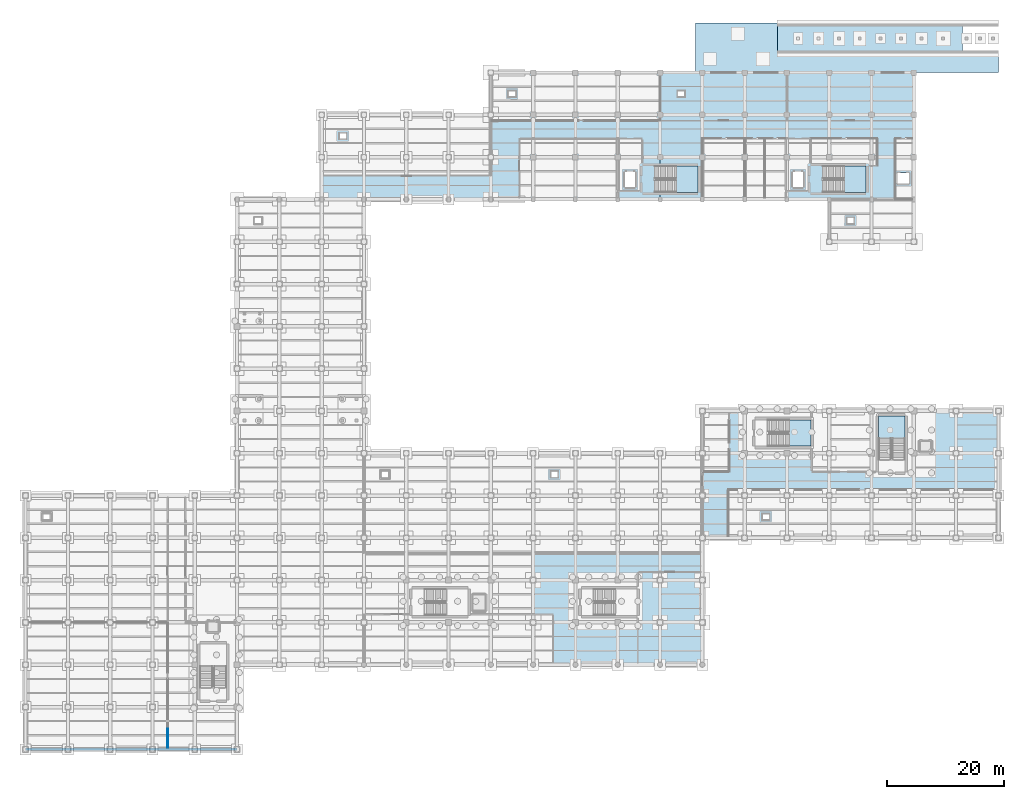
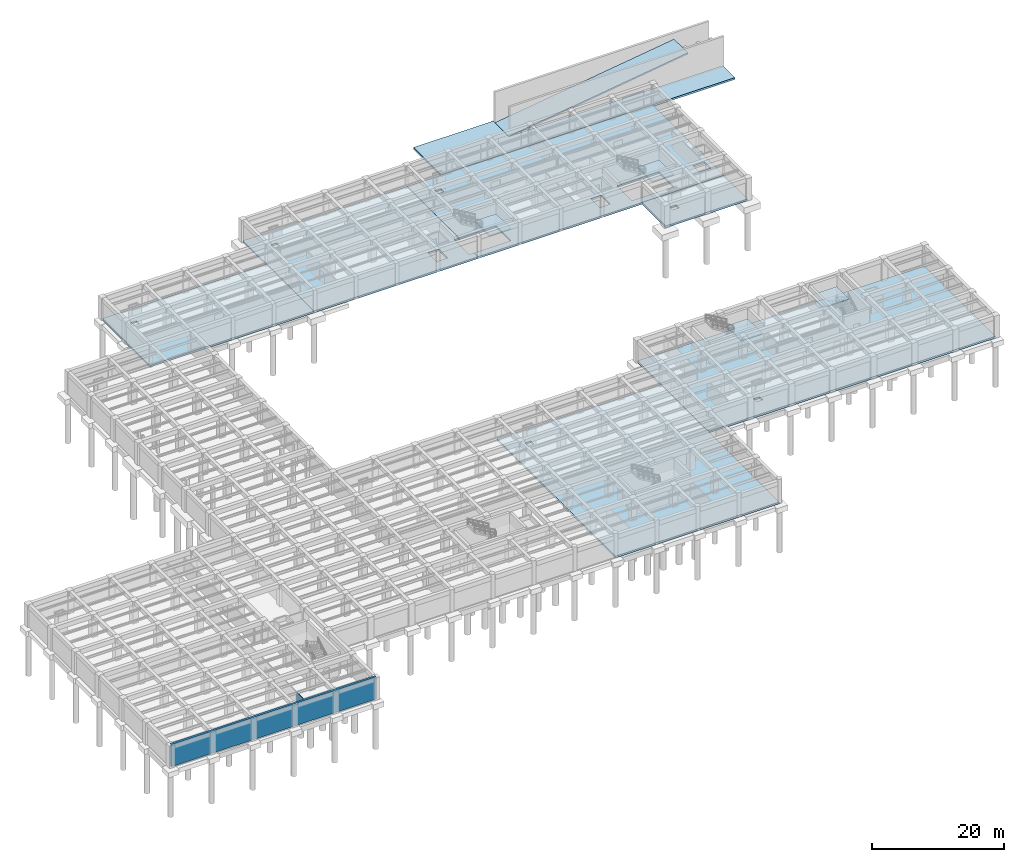
# One storey, part 15 of 34: 12 slabs, 2 walls, 4 elements without a shape of their own.
"""IFC4 building model written with IfcOpenShell, lengths in metres."""

import ifcopenshell
import ifcopenshell.guid

model = None  # the IFC model being written
_history = None  # IfcOwnerHistory: only IFC2X3 demands one
_inside = {}  # id of a spatial element -> (the spatial element, [elements in it])
_under = {}  # id of a project, library or spatial element -> (it, [spatial elements below it])
_declared = {}  # id of a project -> (the project, [libraries it declares])
_typed = {}  # id of a type object -> (the type object, [elements of that type])
_made_of = {}  # id of a material, layer set ... -> (it, [elements and type objects made of it])


def new_model(schema):
    """Start an empty IFC model of exactly this schema.

    Asked for "IFC4X3", IfcOpenShell would pick the latest addendum, in which some entities
    have other attributes; the version numbers below select the first issue.
    IFC2X3 requires an IfcOwnerHistory on every rooted entity: one is made here for all.
    """
    global model, _history
    if schema == "IFC4X3":
        model = ifcopenshell.file(schema_version=(4, 3, 0, 0))
    else:
        model = ifcopenshell.file(schema=schema)
    _inside.clear()
    _under.clear()
    _declared.clear()
    _typed.clear()
    _made_of.clear()
    _history = None
    if model.schema == "IFC2X3":
        org = make("IfcOrganization", Name="unknown")
        user = make(
            "IfcPersonAndOrganization",
            ThePerson=make("IfcPerson", FamilyName="unknown"),
            TheOrganization=org,
        )
        app = make(
            "IfcApplication",
            ApplicationDeveloper=org,
            Version="unknown",
            ApplicationFullName="unknown",
            ApplicationIdentifier="unknown",
        )
        _history = make(
            "IfcOwnerHistory",
            OwningUser=user,
            OwningApplication=app,
            ChangeAction="ADDED",
            CreationDate=0,
        )
    return model


def make(cls, **values):
    """One entity of the class cls with the attributes given. An attribute that is None is left unset."""
    return model.create_entity(
        cls, **{name: value for name, value in values.items() if value is not None}
    )


def rooted(cls, **values):
    """An entity with a GlobalId (a new one), such as an element, a storey or a relation."""
    return make(cls, GlobalId=ifcopenshell.guid.new(), OwnerHistory=_history, **values)


def si_unit(unit_type, name, prefix=None):
    """IfcSIUnit, for example si_unit("LENGTHUNIT", "METRE", prefix="MILLI")."""
    return make("IfcSIUnit", UnitType=unit_type, Prefix=prefix, Name=name)


def assignment(units):
    """IfcUnitAssignment: the units of a project."""
    return None if units is None else make("IfcUnitAssignment", Units=units)


def point(xyz):
    """IfcCartesianPoint."""
    return None if xyz is None else make("IfcCartesianPoint", Coordinates=xyz)


def direction(xyz):
    """IfcDirection."""
    return None if xyz is None else make("IfcDirection", DirectionRatios=xyz)


def frame(location, z_axis=None, x_axis=None):
    """IfcAxis2Placement3D, a coordinate frame: its origin and axes. An axis left out is left unset."""
    return make(
        "IfcAxis2Placement3D",
        Location=point(location),
        Axis=direction(z_axis),
        RefDirection=direction(x_axis),
    )


def frame_2d(location, x_axis=None):
    """IfcAxis2Placement2D, a coordinate frame in the plane: its origin and x axis."""
    return make(
        "IfcAxis2Placement2D", Location=point(location), RefDirection=direction(x_axis)
    )


def origin():
    """The frame at (0, 0, 0) with its axes left unset."""
    return frame((0.0, 0.0, 0.0))


def place(relative_to, where):
    """IfcLocalPlacement: puts the frame where relative to a parent placement (None: the world)."""
    return make(
        "IfcLocalPlacement", PlacementRelTo=relative_to, RelativePlacement=where
    )


def context(
    kind, dimensions, precision=None, world=None, true_north=None, identifier=None
):
    """IfcGeometricRepresentationContext, for example the 3D "Model" context."""
    return make(
        "IfcGeometricRepresentationContext",
        ContextIdentifier=identifier,
        ContextType=kind,
        CoordinateSpaceDimension=dimensions,
        Precision=precision,
        WorldCoordinateSystem=world,
        TrueNorth=true_north,
    )


def subcontext(parent, identifier, kind, view, scale=None):
    """IfcGeometricRepresentationSubContext, for example "Body" below "Model"."""
    return make(
        "IfcGeometricRepresentationSubContext",
        ContextIdentifier=identifier,
        ContextType=kind,
        ParentContext=parent,
        TargetScale=scale,
        TargetView=view,
    )


def project(units=None, contexts=None):
    """IfcProject with its units and contexts."""
    return rooted(
        "IfcProject",
        Name="project",
        RepresentationContexts=contexts,
        UnitsInContext=assignment(units),
    )


def spatial(cls, under=None, at=None, **own):
    """A site, building, storey or space (cls), placed at a placement, below another one or the project."""
    s = rooted(cls, ObjectPlacement=at, **own)
    if under is not None:
        _under.setdefault(under.id(), (under, []))[1].append(s)
    return s


def polyline(points):
    """IfcPolyline through the points."""
    return make("IfcPolyline", Points=[point(p) for p in points])


def profile(cls, at=None, kind="AREA", **sizes):
    """A parametric profile (cls). Its sizes go by their IFC names, for example OverallWidth=200.0."""
    return make(cls, ProfileType=kind, Position=at, **sizes)


def rectangle(**sizes):
    """IfcRectangleProfileDef."""
    return profile("IfcRectangleProfileDef", **sizes)


def outline(outer, holes=None, kind="AREA"):
    """IfcArbitraryClosedProfileDef: a profile drawn as a closed curve; with holes, ...WithVoids."""
    if holes is None:
        return make("IfcArbitraryClosedProfileDef", ProfileType=kind, OuterCurve=outer)
    return make(
        "IfcArbitraryProfileDefWithVoids",
        ProfileType=kind,
        OuterCurve=outer,
        InnerCurves=holes,
    )


def extrude(swept, where, along, depth):
    """IfcExtrudedAreaSolid: the profile swept, set in the frame where, extruded along a direction by depth."""
    return make(
        "IfcExtrudedAreaSolid",
        SweptArea=swept,
        Position=where,
        ExtrudedDirection=direction(along),
        Depth=depth,
    )


def shape(context_of_items, identifier, shape_type, items):
    """IfcShapeRepresentation: the items that make up one representation, for example the "Body"."""
    return make(
        "IfcShapeRepresentation",
        ContextOfItems=context_of_items,
        RepresentationIdentifier=identifier,
        RepresentationType=shape_type,
        Items=items,
    )


def material(Name=None, Category=None):
    """IfcMaterial."""
    return make("IfcMaterial", Name=Name, Category=Category)


def layer(
    of_material, thickness, ventilated=None, Name=None, Category=None, Priority=None
):
    """IfcMaterialLayer: one layer of a wall or slab, of a material (None: an air gap)."""
    return make(
        "IfcMaterialLayer",
        Material=of_material,
        LayerThickness=thickness,
        IsVentilated=ventilated,
        Name=Name,
        Category=Category,
        Priority=Priority,
    )


def layer_set(layers, Name=None):
    """IfcMaterialLayerSet."""
    return make("IfcMaterialLayerSet", MaterialLayers=layers, LayerSetName=Name)


def made_of(thing, what):
    """Note that an element or type object is made of a material, layer set ...; save() writes the relation."""
    if what is not None:
        _made_of.setdefault(what.id(), (what, []))[1].append(thing)
    return thing


def type_object(cls, material=None, **own):
    """A type object (cls), such as IfcWallType, which elements share."""
    return made_of(rooted(cls, **own), material)


def element(
    cls,
    number,
    at=None,
    inside=None,
    cuts=None,
    type_object=None,
    material=None,
    context=None,
    identifier="Body",
    shape_type=None,
    held_by="IfcProductDefinitionShape",
    body=None,
    shapes=None,
    **own,
):
    """One element of the class cls, such as IfcWall. Its Tag is "e" and its number.

    at: its placement. inside: the storey or other place that contains it. cuts: it is an
    opening in that element (IfcRelVoidsElement). A single representation is given by context,
    identifier, shape_type and body (its items); several are given by shapes. held_by: the class
    of the entity that holds the representations. save() writes the other relations.
    """
    e = rooted(cls, Tag="e%d" % number, ObjectPlacement=at, **own)
    if body is not None:
        shapes = [shape(context, identifier, shape_type, body)]
    if shapes is not None:
        e.Representation = make(held_by, Representations=shapes)
    if inside is not None:
        _inside.setdefault(inside.id(), (inside, []))[1].append(e)
    if cuts is not None:
        rooted(
            "IfcRelVoidsElement", RelatingBuildingElement=cuts, RelatedOpeningElement=e
        )
    if type_object is not None:
        _typed.setdefault(type_object.id(), (type_object, []))[1].append(e)
    return made_of(e, material)


def aggregate(whole, parts):
    """IfcRelAggregates: a whole, such as a stair, and the parts it consists of."""
    return rooted("IfcRelAggregates", RelatingObject=whole, RelatedObjects=parts)


def save(model, path):
    """Write the relations noted so far, then the file.

    IfcRelAggregates (storeys below a building ...), IfcRelContainedInSpatialStructure (elements
    in a storey), IfcRelDefinesByType, IfcRelAssociatesMaterial and IfcRelDeclares: one each for
    every whole, place, type object, material and project.
    """
    for whole, parts in _under.values():
        aggregate(whole, parts)
    for where, things in _inside.values():
        rooted(
            "IfcRelContainedInSpatialStructure",
            RelatedElements=things,
            RelatingStructure=where,
        )
    for kind, things in _typed.values():
        rooted("IfcRelDefinesByType", RelatedObjects=things, RelatingType=kind)
    for what, things in _made_of.values():
        rooted("IfcRelAssociatesMaterial", RelatedObjects=things, RelatingMaterial=what)
    for by, libraries in _declared.values():
        rooted("IfcRelDeclares", RelatingContext=by, RelatedDefinitions=libraries)
    model.write(path)


model = new_model("IFC4")

# Units and contexts
model_context = context("Model", 3, precision=1e-05, world=origin(), true_north=direction((0.0, 1.0)))
body_context = subcontext(model_context, "Body", "Model", "MODEL_VIEW")
ifc_project = project(units=[si_unit("LENGTHUNIT", "METRE"), si_unit("AREAUNIT", "SQUARE_METRE"), si_unit("VOLUMEUNIT", "CUBIC_METRE"), si_unit("PLANEANGLEUNIT", "RADIAN"), si_unit("MASSUNIT", "GRAM", prefix="KILO")], contexts=[model_context])

# Site, building, storey
site_placement = place(None, origin())
site = spatial("IfcSite", under=ifc_project, at=site_placement, CompositionType="ELEMENT")
building_placement = place(site_placement, origin())
building = spatial("IfcBuilding", under=site, at=building_placement, Name="Solenvale Faculty of Natural Sciences", CompositionType="ELEMENT")
storey_placement = place(building_placement, frame((0.0, 0.0, -4.5)))
storey = spatial("IfcBuildingStorey", under=building, at=storey_placement, Name="B01", CompositionType="ELEMENT", Elevation=-4.5)

# Slabs
ifc_material_1 = material(Name="Concrete 40 MPa", Category="concrete")
ifc_layer_1 = layer(ifc_material_1, 0.35009765625)
ifc_layer_set_1 = layer_set([ifc_layer_1], Name="Concrete 40 MPa")
slab_type_1 = type_object("IfcSlabType", Name="SL-BASE-350", PredefinedType="BASESLAB", material=ifc_layer_set_1)
slab_1_placement = place(storey_placement, frame((0.0, 0.0, -0.35009765625)))
element("IfcSlab", 1, at=slab_1_placement, inside=storey, type_object=slab_type_1, Name="B01 V5B Baseslab Slab 1.1", PredefinedType="BASESLAB", context=body_context, shape_type="SweptSolid", body=[
    extrude(outline(polyline([(79.199951171875, 93.625), (79.192626953125, 93.607421875), (79.175048828125, 93.60009765625), (50.4130859375, 93.60302734375), (50.39990234375, 93.625), (50.403076171875, 107.98681640625), (50.425048828125, 108.0), (79.186767578125, 107.9970703125), (79.199951171875, 107.97509765625), (79.199951171875, 93.625)]), holes=[polyline([(53.449951171875, 103.949951171875), (54.550048828125, 103.949951171875), (54.550048828125, 104.85009765625), (53.449951171875, 104.85009765625), (53.449951171875, 103.949951171875)])]), origin(), (0.0, 0.0, 1.0), 0.35009765625),
])
slab_2_placement = place(storey_placement, frame((0.0, 0.0, -0.35009765625)))
element("IfcSlab", 2, at=slab_2_placement, inside=storey, type_object=slab_type_1, Name="B01 V4 Baseslab Slab 2.1", PredefinedType="BASESLAB", context=body_context, shape_type="SweptSolid", body=[
    extrude(outline(polyline([(86.425048828125, 14.39990234375), (86.4072265625, 14.4072265625), (86.39990234375, 14.425048828125), (86.39990234375, 50.375), (86.40576171875, 50.390869140625), (86.425048828125, 50.39990234375), (115.175048828125, 50.39990234375), (115.19091796875, 50.394287109375), (115.199951171875, 50.375), (115.199951171875, 14.425048828125), (115.1943359375, 14.4091796875), (115.175048828125, 14.39990234375), (86.425048828125, 14.39990234375)]), holes=[polyline([(89.449951171875, 46.35009765625), (90.550048828125, 46.35009765625), (90.550048828125, 47.25), (89.449951171875, 47.25), (89.449951171875, 46.35009765625)])]), origin(), (0.0, 0.0, 1.0), 0.35009765625),
])
slab_3_placement = place(storey_placement, frame((0.0, 0.0, -0.35009765625)))
element("IfcSlab", 3, at=slab_3_placement, inside=storey, type_object=slab_type_1, Name="B01 V2 Baseslab Slab 1.1", PredefinedType="BASESLAB", context=body_context, shape_type="SweptSolid", body=[
    extrude(outline(polyline([(165.60009765625, 36.02490234375), (165.5927734375, 36.00732421875), (165.574951171875, 36.0), (115.21533203125, 36.001953125), (115.199951171875, 36.02490234375), (115.201904296875, 57.584716796875), (115.22509765625, 57.60009765625), (165.584716796875, 57.59814453125), (165.60009765625, 57.574951171875), (165.60009765625, 36.02490234375)]), holes=[polyline([(125.449951171875, 39.14990234375), (126.550048828125, 39.14990234375), (126.550048828125, 40.050048828125), (125.449951171875, 40.050048828125), (125.449951171875, 39.14990234375)])]), origin(), (0.0, 0.0, 1.0), 0.35009765625),
])
slab_4_placement = place(storey_placement, frame((0.0, 0.0, -0.35009765625)))
element("IfcSlab", 4, at=slab_4_placement, inside=storey, type_object=slab_type_1, Name="B01 V5 Baseslab Slab 1.1", PredefinedType="BASESLAB", context=body_context, shape_type="SweptSolid", body=[
    extrude(outline(polyline([(107.139892578125, 94.800048828125), (107.97509765625, 94.800048828125), (107.995849609375, 94.788818359375), (108.0, 93.625), (107.989013671875, 93.604248046875), (79.211181640625, 93.604248046875), (79.199951171875, 93.625), (79.2041015625, 115.18896484375), (79.22509765625, 115.199951171875), (107.989013671875, 115.19580078125), (108.0, 115.175048828125), (108.0, 99.324951171875), (107.99267578125, 99.307373046875), (107.97509765625, 99.300048828125), (107.139892578125, 99.300048828125), (107.139892578125, 94.800048828125)]), holes=[polyline([(101.9599609375, 95.66064453125), (103.840087890625, 95.659912109375), (103.840087890625, 98.340087890625), (101.9599609375, 98.340087890625), (101.9599609375, 95.66064453125)]), polyline([(82.25, 111.14990234375), (83.35009765625, 111.14990234375), (83.35009765625, 112.050048828125), (82.25, 112.050048828125), (82.25, 111.14990234375)])]), origin(), (0.0, 0.0, 1.0), 0.35009765625),
])
slab_5_placement = place(storey_placement, frame((0.0, 0.0, -0.35009765625)))
element("IfcSlab", 5, at=slab_5_placement, inside=storey, type_object=slab_type_1, Name="B01 V5E Baseslab Slab 1.1", PredefinedType="BASESLAB", context=body_context, shape_type="SweptSolid", body=[
    extrude(outline(polyline([(136.800048828125, 93.574951171875), (136.807373046875, 93.5927734375), (136.824951171875, 93.60009765625), (151.186767578125, 93.596923828125), (151.199951171875, 93.574951171875), (151.197021484375, 86.4130859375), (151.175048828125, 86.39990234375), (136.813232421875, 86.403076171875), (136.800048828125, 86.425048828125), (136.800048828125, 93.574951171875)]), holes=[polyline([(139.85009765625, 89.550048828125), (140.949951171875, 89.550048828125), (140.949951171875, 90.449951171875), (139.85009765625, 90.449951171875), (139.85009765625, 89.550048828125)])]), origin(), (0.0, 0.0, 1.0), 0.35009765625),
])
slab_6_placement = place(storey_placement, frame((0.0, 0.0, -0.35009765625)))
element("IfcSlab", 6, at=slab_6_placement, inside=storey, type_object=slab_type_1, Name="B01 Exterior Loading Apron", PredefinedType="BASESLAB", context=body_context, shape_type="SweptSolid", body=[
    extrude(outline(polyline([(114.0, 115.199951171875), (165.60009765625, 115.199951171875), (165.60009765625, 118.8798828125), (127.97998046875, 118.8798828125), (127.97998046875, 123.60009765625), (114.0, 123.60009765625), (114.0, 115.199951171875)])), origin(), (0.0, 0.0, 1.0), 0.35009765625),
])
ifc_layer_2 = layer(ifc_material_1, 0.35009765625)
ifc_layer_set_2 = layer_set([ifc_layer_2], Name="Concrete 40 MPa")
slab_type_2 = type_object("IfcSlabType", Name="SL-FLR-350", PredefinedType="FLOOR", material=ifc_layer_set_2)
slab_7_placement = place(storey_placement, frame((0.0, 0.0, -0.35009765625)))
element("IfcSlab", 7, at=slab_7_placement, inside=storey, type_object=slab_type_2, Name="B01 V5 Floor Slab 2.1", PredefinedType="FLOOR", context=body_context, shape_type="SweptSolid", body=[
    extrude(outline(polyline([(108.02490234375, 93.60009765625), (108.00732421875, 93.607421875), (108.0, 93.625), (108.0, 94.77490234375), (108.005615234375, 94.791015625), (108.02001953125, 94.799560546875), (114.5, 94.800048828125), (114.5, 99.29931640625), (108.02490234375, 99.300048828125), (108.001953125, 99.3154296875), (108.0, 115.175048828125), (108.01318359375, 115.197021484375), (151.175048828125, 115.199951171875), (151.197021484375, 115.186767578125), (151.199951171875, 93.625), (151.186767578125, 93.60302734375), (108.02490234375, 93.60009765625)]), holes=[polyline([(148.385009765625, 96.260009765625), (150.4150390625, 96.260009765625), (150.4150390625, 98.139892578125), (148.385009765625, 98.139892578125), (148.385009765625, 96.260009765625)]), polyline([(135.739990234375, 94.800048828125), (143.10009765625, 94.800048828125), (143.10009765625, 99.300048828125), (135.739990234375, 99.300048828125), (135.739990234375, 94.800048828125)]), polyline([(130.56005859375, 95.66064453125), (132.43994140625, 95.659912109375), (132.43994140625, 98.340087890625), (130.56005859375, 98.340087890625), (130.56005859375, 95.66064453125)]), polyline([(111.050048828125, 111.14990234375), (112.14990234375, 111.14990234375), (112.14990234375, 112.050048828125), (111.050048828125, 112.050048828125), (111.050048828125, 111.14990234375)])]), origin(), (0.0, 0.0, 1.0), 0.35009765625),
])

# Stair, slab
stair_type = type_object("IfcStairType", Name="STR-CORE-25R", PredefinedType="DOUBLE_RETURN_STAIR", material=ifc_material_1)
stair_1_placement = place(storey_placement, origin())
stair_1 = element("IfcStair", 8, at=stair_1_placement, inside=storey, type_object=stair_type, Name="B01 Protected Exit Stair ST-02", PredefinedType="DOUBLE_RETURN_STAIR")
ifc_layer_3 = layer(ifc_material_1, 0.195068359375)
ifc_layer_set_3 = layer_set([ifc_layer_3], Name="Concrete 40 MPa")
slab_type_3 = type_object("IfcSlabType", Name="SL-LND-195", PredefinedType="LANDING", material=ifc_layer_set_3)
slab_8_placement = place(storey_placement, frame((0.0, 0.0, 2.050048828125)))
slab_8 = element("IfcSlab", 9, at=slab_8_placement, type_object=slab_type_3, Name="ST-02 landing 1", PredefinedType="LANDING", context=body_context, shape_type="SweptSolid", body=[
    extrude(outline(polyline([(149.699951171875, 52.93994140625), (149.699951171875, 56.699951171875), (145.199951171875, 56.699951171875), (145.199951171875, 52.93994140625), (149.699951171875, 52.93994140625)])), origin(), (0.0, 0.0, 1.0), 0.199951171875),
])
aggregate(stair_1, [slab_8])

stair_2_placement = place(storey_placement, origin())
stair_2 = element("IfcStair", 10, at=stair_2_placement, inside=storey, type_object=stair_type, Name="B01 Protected Exit Stair ST-08", PredefinedType="DOUBLE_RETURN_STAIR")
slab_9_placement = place(storey_placement, frame((0.0, 0.0, 2.050048828125)))
slab_9 = element("IfcSlab", 11, at=slab_9_placement, type_object=slab_type_3, Name="ST-08 landing 1", PredefinedType="LANDING", context=body_context, shape_type="SweptSolid", body=[
    extrude(outline(polyline([(129.93994140625, 51.60009765625), (133.699951171875, 51.60009765625), (133.699951171875, 56.10009765625), (129.93994140625, 56.10009765625), (129.93994140625, 51.60009765625)])), origin(), (0.0, 0.0, 1.0), 0.199951171875),
])
aggregate(stair_2, [slab_9])

stair_3_placement = place(storey_placement, origin())
stair_3 = element("IfcStair", 12, at=stair_3_placement, inside=storey, type_object=stair_type, Name="B01 Protected Exit Stair ST-04", PredefinedType="DOUBLE_RETURN_STAIR")
slab_10_placement = place(storey_placement, frame((0.0, 0.0, 2.050048828125)))
slab_10 = element("IfcSlab", 13, at=slab_10_placement, type_object=slab_type_3, Name="ST-04 landing 1", PredefinedType="LANDING", context=body_context, shape_type="SweptSolid", body=[
    extrude(outline(polyline([(110.739990234375, 94.800048828125), (114.5, 94.800048828125), (114.5, 99.300048828125), (110.739990234375, 99.300048828125), (110.739990234375, 94.800048828125)])), origin(), (0.0, 0.0, 1.0), 0.199951171875),
])
aggregate(stair_3, [slab_10])

stair_4_placement = place(storey_placement, origin())
stair_4 = element("IfcStair", 14, at=stair_4_placement, inside=storey, type_object=stair_type, Name="B01 Protected Exit Stair ST-05", PredefinedType="DOUBLE_RETURN_STAIR")
slab_11_placement = place(storey_placement, frame((0.0, 0.0, 2.050048828125)))
slab_11 = element("IfcSlab", 15, at=slab_11_placement, type_object=slab_type_3, Name="ST-05 landing 1", PredefinedType="LANDING", context=body_context, shape_type="SweptSolid", body=[
    extrude(outline(polyline([(139.340087890625, 94.800048828125), (143.10009765625, 94.800048828125), (143.10009765625, 99.300048828125), (139.340087890625, 99.300048828125), (139.340087890625, 94.800048828125)])), origin(), (0.0, 0.0, 1.0), 0.199951171875),
])
aggregate(stair_4, [slab_11])

# Slab
ifc_layer_4 = layer(ifc_material_1, 0.260009765625)
ifc_layer_set_4 = layer_set([ifc_layer_4], Name="Concrete 40 MPa")
slab_type_4 = type_object("IfcSlabType", Name="SL-RMP-260", PredefinedType="FLOOR", material=ifc_layer_set_4)
slab_12_placement = place(storey_placement, frame((128.0, 118.89990234375, 0.0), z_axis=(-0.14159773659, 0.0, 0.989924280434), x_axis=(0.989924280434, 0.0, 0.14159773659)))
element("IfcSlab", 16, at=slab_12_placement, inside=storey, type_object=slab_type_4, Name="B01 Loading Vehicle Ramp RMP-06 Structural Slab", PredefinedType="FLOOR", context=body_context, shape_type="SweptSolid", body=[
    extrude(outline(polyline([(0.0, 0.0), (31.780169008188516, 0.0), (31.780169008188516, 4.2001953125), (0.0, 4.2001953125), (0.0, 0.0)])), origin(), (0.0, 0.0, -1.0), 0.260009765625),
])

# Walls
ifc_material_2 = material(Name="Acoustic stud gypsum partition")
ifc_layer_5 = layer(ifc_material_2, 0.139892578125)
ifc_layer_set_5 = layer_set([ifc_layer_5], Name="Acoustic stud gypsum partition")
wall_type_1 = type_object("IfcWallType", Name="WL-OFF-140", PredefinedType="PARTITIONING", material=ifc_layer_set_5)
wall_1_placement = place(storey_placement, frame((24.199951171875, 3.51806640625, 0.0), z_axis=(0.0, 0.0, 1.0), x_axis=(0.0, -1.0, 0.0)))
element("IfcWall", 17, at=wall_1_placement, inside=storey, type_object=wall_type_1, Name="B01 Lecture Hall Lower Preparation Room Partition 20", PredefinedType="PARTITIONING", context=body_context, shape_type="SweptSolid", body=[
    extrude(rectangle(XDim=3.236083984375, YDim=0.139892578125, at=frame_2d((1.6181640625, 0.0))), origin(), (0.0, 0.0, 1.0), 3.18994140625),
])
ifc_layer_6 = layer(ifc_material_1, 0.39990234375)
ifc_layer_set_6 = layer_set([ifc_layer_6], Name="Concrete 40 MPa")
wall_type_2 = type_object("IfcWallType", Name="WL-RET-400", PredefinedType="SOLIDWALL", material=ifc_layer_set_6)
wall_2_placement = place(storey_placement, frame((36.0, 0.0, 0.0), z_axis=(0.0, 0.0, 1.0), x_axis=(-1.0, 0.0, 0.0)))
element("IfcWall", 18, at=wall_2_placement, inside=storey, type_object=wall_type_2, Name="B01 Escarpment Retaining Wall 21", PredefinedType="SOLIDWALL", context=body_context, shape_type="SweptSolid", body=[
    extrude(rectangle(XDim=36.0, YDim=0.39990234375, at=frame_2d((18.0, 0.0))), origin(), (0.0, 0.0, 1.0), 4.14990234375),
])

save(model, "model.ifc")
